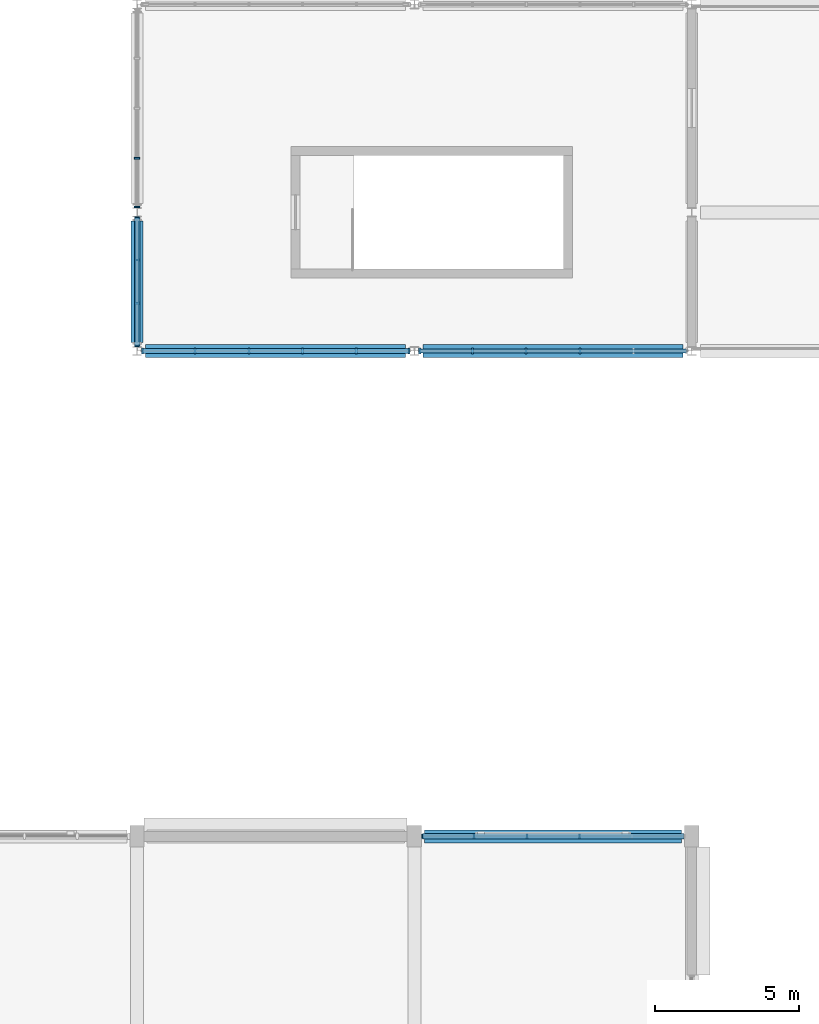
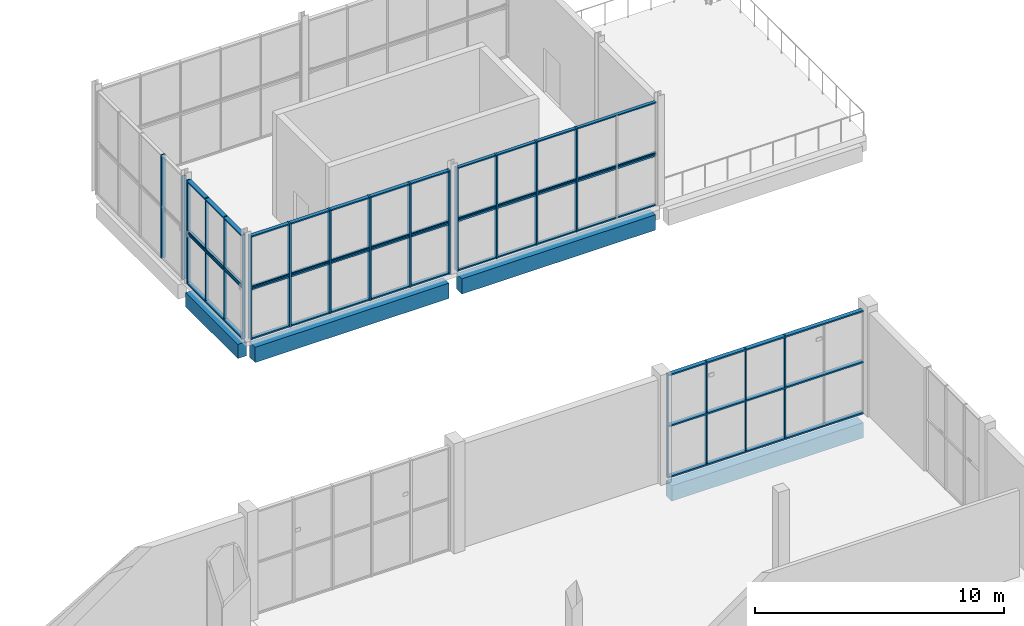
# One storey, part 12 of 83: 35 members, 4 beams, 5 elements without a shape of their own.
"""IFC4 building model written with IfcOpenShell, lengths in metres."""

from ifc_helpers import new_model, si_unit, direction, frame, origin, origin_2d, place, context, subcontext, project, spatial, rectangle, hollow_rectangle, extrude, material, material_profile, profile_set, type_object, element, aggregate, save


model = new_model("IFC4")

# Units and contexts
model_context = context("Model", 3, precision=1e-05, world=origin(), true_north=direction((0.0, 1.0)))
body_context = subcontext(model_context, "Body", "Model", "MODEL_VIEW")
ifc_project = project(units=[si_unit("LENGTHUNIT", "METRE"), si_unit("AREAUNIT", "SQUARE_METRE"), si_unit("VOLUMEUNIT", "CUBIC_METRE"), si_unit("PLANEANGLEUNIT", "RADIAN"), si_unit("MASSUNIT", "GRAM", prefix="KILO")], contexts=[model_context])

# Site, building, storey
site_placement = place(None, origin())
site = spatial("IfcSite", under=ifc_project, at=site_placement, CompositionType="ELEMENT")
building_placement = place(site_placement, origin())
building = spatial("IfcBuilding", under=site, at=building_placement, Name="Shalvenor Court Art Gallery", CompositionType="ELEMENT")
storey_placement = place(building_placement, frame((0.0, 0.0, 6.0)))
storey = spatial("IfcBuildingStorey", under=building, at=storey_placement, Name="L01", CompositionType="ELEMENT", Elevation=6.0)

# Beams
ifc_material_1 = material(Name="Concrete C40/50", Category="concrete")
ifc_material_profile_1 = material_profile(ifc_material_1, rectangle(XDim=0.449951171875, YDim=0.75, at=origin_2d()), Name="RC 450x750")
ifc_profile_set_1 = profile_set([ifc_material_profile_1], Name="Concrete C40/50")
beam_type_1 = type_object("IfcBeamType", Name="B-04", PredefinedType="BEAM", material=ifc_profile_set_1)
beam_1_placement = place(storey_placement, frame((57.949951171875, 28.800048828125, -0.695068359375), z_axis=(1.0, 0.0, 0.0), x_axis=(0.0, 1.0, 0.0)))
element("IfcBeam", 1, at=beam_1_placement, inside=storey, type_object=beam_type_1, Name="L01 Girder BM-L01-B-04-0524", PredefinedType="BEAM", context=body_context, shape_type="SweptSolid", body=[
    extrude(rectangle(XDim=0.449951171875, YDim=0.75, at=origin_2d()), origin(), (0.0, 0.0, 1.0), 8.900146484375),
])
for number, where, z_axis, x_axis, name in (
    (2, (48.300048828125, 45.60009765625, -0.695068359375), (1.0, 0.0, 0.0), (0.0, 1.0, 0.0), "L01 Girder BM-L01-B-04-0534"),
    (3, (57.89990234375, 45.60009765625, -0.695068359375), (1.0, 0.0, 0.0), (0.0, 1.0, 0.0), "L01 Girder BM-L01-B-04-0535"),
):
    element("IfcBeam", number, at=place(storey_placement, frame(where, z_axis=z_axis, x_axis=x_axis)), inside=storey, type_object=beam_type_1, Name=name, PredefinedType="BEAM", context=body_context, shape_type="SweptSolid", body=[
        extrude(rectangle(XDim=0.449951171875, YDim=0.75, at=origin_2d()), origin(), (0.0, 0.0, 1.0), 9.0),
    ])
ifc_material_2 = material(Name="Concrete C40/50", Category="concrete")
ifc_material_profile_2 = material_profile(ifc_material_2, rectangle(XDim=0.39990234375, YDim=0.699951171875, at=origin_2d()), Name="RC 400x700")
ifc_profile_set_2 = profile_set([ifc_material_profile_2], Name="Concrete C40/50")
beam_type_2 = type_object("IfcBeamType", Name="B-05", PredefinedType="BEAM", material=ifc_profile_set_2)
beam_2_placement = place(storey_placement, frame((48.0, 45.89990234375, -0.669921875), z_axis=(0.0, 1.0, 0.0), x_axis=(-1.0, 0.0, 0.0)))
element("IfcBeam", 4, at=beam_2_placement, inside=storey, type_object=beam_type_2, Name="L01 Girder BM-L01-B-05-0400", PredefinedType="BEAM", context=body_context, shape_type="SweptSolid", body=[
    extrude(rectangle(XDim=0.39990234375, YDim=0.699951171875, at=origin_2d()), origin(), (0.0, 0.0, 1.0), 4.2001953125),
])

# Curtain wall, members
ifc_material_3 = material(Name="Anodised aluminium and low-iron glass curtain wall", Category="aluminium")
curtain_wall_type_1 = type_object("IfcCurtainWallType", Name="CW-4x2-69-51-116", PredefinedType="USERDEFINED", material=ifc_material_3)
curtain_wall_1_placement = place(storey_placement, origin())
curtain_wall_1 = element("IfcCurtainWall", 5, at=curtain_wall_1_placement, inside=storey, type_object=curtain_wall_type_1, Name="L01 V6 Curtain Wall CW-L01-204", ObjectType="CURTAIN WALL", PredefinedType="USERDEFINED")
ifc_material_4 = material(Name="Anodised aluminium mullion", Category="aluminium")
ifc_material_profile_3 = material_profile(ifc_material_4, rectangle(XDim=0.06494140625, YDim=0.179931640625, at=origin_2d()), Name="CWM-01")
ifc_profile_set_3 = profile_set([ifc_material_profile_3], Name="Anodised aluminium mullion")
member_type_1 = type_object("IfcMemberType", Name="CWM-01", PredefinedType="MULLION", material=ifc_profile_set_3)
member_1_placement = place(storey_placement, frame((48.0, 50.58251953125, 0.0), z_axis=(0.0, 0.0, 1.0), x_axis=(0.0, 1.0, 0.0)))
member_1 = element("IfcMember", 6, at=member_1_placement, type_object=member_type_1, Name="CW-4x2-69-51-116 mullion 1", PredefinedType="MULLION", context=body_context, shape_type="SweptSolid", body=[
    extrude(rectangle(XDim=0.06494140625, YDim=0.179931640625, at=origin_2d()), origin(), (0.0, 0.0, 1.0), 5.080078125),
])
member_2_placement = place(storey_placement, frame((48.0, 52.27490234375, 0.0), z_axis=(0.0, 0.0, 1.0), x_axis=(0.0, 1.0, 0.0)))
member_2 = element("IfcMember", 7, at=member_2_placement, type_object=member_type_1, Name="CW-4x2-69-51-116 mullion 2", PredefinedType="MULLION", context=body_context, shape_type="SweptSolid", body=[
    extrude(rectangle(XDim=0.06494140625, YDim=0.179931640625, at=origin_2d()), origin(), (0.0, 0.0, 1.0), 5.080078125),
])
aggregate(curtain_wall_1, [member_1, member_2])

ifc_material_5 = material(Name="Anodised aluminium and low-iron glass curtain wall", Category="aluminium")
curtain_wall_type_2 = type_object("IfcCurtainWallType", Name="CW-5x2-93-51-216", PredefinedType="USERDEFINED", material=ifc_material_5)
curtain_wall_2_placement = place(storey_placement, origin())
curtain_wall_2 = element("IfcCurtainWall", 8, at=curtain_wall_2_placement, inside=storey, type_object=curtain_wall_type_2, Name="L01 V6 Curtain Wall CW-L01-201", ObjectType="CURTAIN WALL", PredefinedType="USERDEFINED")
ifc_material_6 = material(Name="Anodised aluminium mullion", Category="aluminium")
ifc_material_profile_4 = material_profile(ifc_material_6, rectangle(XDim=0.070068359375, YDim=0.199951171875, at=origin_2d()), Name="CWM-02")
ifc_profile_set_4 = profile_set([ifc_material_profile_4], Name="Anodised aluminium mullion")
member_type_2 = type_object("IfcMemberType", Name="CWM-02", PredefinedType="MULLION", material=ifc_profile_set_4)
member_3_placement = place(storey_placement, frame((63.330078125, 45.60009765625, 0.0), z_axis=(0.0, 0.0, 1.0), x_axis=(-1.0, 0.0, 0.0)))
member_3 = element("IfcMember", 9, at=member_3_placement, type_object=member_type_2, Name="CW-5x2-93-51-216 mullion 3", PredefinedType="MULLION", context=body_context, shape_type="SweptSolid", body=[
    extrude(rectangle(XDim=0.070068359375, YDim=0.199951171875, at=origin_2d()), origin(), (0.0, 0.0, 1.0), 5.080078125),
])
member_4_placement = place(storey_placement, frame((61.469970703125, 45.60009765625, 0.0), z_axis=(0.0, 0.0, 1.0), x_axis=(-1.0, 0.0, 0.0)))
member_4 = element("IfcMember", 10, at=member_4_placement, type_object=member_type_2, Name="CW-5x2-93-51-216 mullion 4", PredefinedType="MULLION", context=body_context, shape_type="SweptSolid", body=[
    extrude(rectangle(XDim=0.070068359375, YDim=0.199951171875, at=origin_2d()), origin(), (0.0, 0.0, 1.0), 5.080078125),
])
member_5_placement = place(storey_placement, frame((59.610107421875, 45.60009765625, 0.0), z_axis=(0.0, 0.0, 1.0), x_axis=(-1.0, 0.0, 0.0)))
member_5 = element("IfcMember", 11, at=member_5_placement, type_object=member_type_2, Name="CW-5x2-93-51-216 mullion 5", PredefinedType="MULLION", context=body_context, shape_type="SweptSolid", body=[
    extrude(rectangle(XDim=0.070068359375, YDim=0.199951171875, at=origin_2d()), origin(), (0.0, 0.0, 1.0), 5.080078125),
])
member_6_placement = place(storey_placement, frame((57.784912109375, 45.60009765625, 0.0), z_axis=(0.0, 0.0, 1.0), x_axis=(-1.0, 0.0, 0.0)))
member_6 = element("IfcMember", 12, at=member_6_placement, type_object=member_type_2, Name="CW-5x2-93-51-216 mullion 6", PredefinedType="MULLION", context=body_context, shape_type="SweptSolid", body=[
    extrude(rectangle(XDim=0.070068359375, YDim=0.199951171875, at=origin_2d()), origin(), (0.0, 0.0, 1.0), 5.080078125),
])

ifc_material_7 = material(Name="Anodised aluminium and low-iron glass curtain wall", Category="aluminium")
curtain_wall_type_3 = type_object("IfcCurtainWallType", Name="CW-5x2-93-51-426", PredefinedType="USERDEFINED", material=ifc_material_7)
curtain_wall_3_placement = place(storey_placement, origin())
curtain_wall_3 = element("IfcCurtainWall", 13, at=curtain_wall_3_placement, inside=storey, type_object=curtain_wall_type_3, Name="L01 V6 Curtain Wall CW-L01-202", ObjectType="CURTAIN WALL", PredefinedType="USERDEFINED")
ifc_material_8 = material(Name="Anodised aluminium mullion", Category="aluminium")
ifc_material_profile_5 = material_profile(ifc_material_8, rectangle(XDim=0.074951171875, YDim=0.219970703125, at=origin_2d()), Name="CWM-04")
ifc_profile_set_5 = profile_set([ifc_material_profile_5], Name="Anodised aluminium mullion")
member_type_3 = type_object("IfcMemberType", Name="CWM-04", PredefinedType="MULLION", material=ifc_profile_set_5)
member_7_placement = place(storey_placement, frame((57.41259765625, 45.60009765625, 0.0), z_axis=(0.0, 0.0, 1.0), x_axis=(-1.0, 0.0, 0.0)))
member_7 = element("IfcMember", 14, at=member_7_placement, type_object=member_type_3, Name="CW-5x2-93-51-426 mullion 1", PredefinedType="MULLION", context=body_context, shape_type="SweptSolid", body=[
    extrude(rectangle(XDim=0.074951171875, YDim=0.219970703125, at=origin_2d()), origin(), (0.0, 0.0, 1.0), 5.080078125),
])
member_8_placement = place(storey_placement, frame((55.590087890625, 45.60009765625, 0.0), z_axis=(0.0, 0.0, 1.0), x_axis=(-1.0, 0.0, 0.0)))
member_8 = element("IfcMember", 15, at=member_8_placement, type_object=member_type_3, Name="CW-5x2-93-51-426 mullion 2", PredefinedType="MULLION", context=body_context, shape_type="SweptSolid", body=[
    extrude(rectangle(XDim=0.074951171875, YDim=0.219970703125, at=origin_2d()), origin(), (0.0, 0.0, 1.0), 5.080078125),
])
member_9_placement = place(storey_placement, frame((53.72998046875, 45.60009765625, 0.0), z_axis=(0.0, 0.0, 1.0), x_axis=(-1.0, 0.0, 0.0)))
member_9 = element("IfcMember", 16, at=member_9_placement, type_object=member_type_3, Name="CW-5x2-93-51-426 mullion 3", PredefinedType="MULLION", context=body_context, shape_type="SweptSolid", body=[
    extrude(rectangle(XDim=0.074951171875, YDim=0.219970703125, at=origin_2d()), origin(), (0.0, 0.0, 1.0), 5.080078125),
])
member_10_placement = place(storey_placement, frame((51.8701171875, 45.60009765625, 0.0), z_axis=(0.0, 0.0, 1.0), x_axis=(-1.0, 0.0, 0.0)))
member_10 = element("IfcMember", 17, at=member_10_placement, type_object=member_type_3, Name="CW-5x2-93-51-426 mullion 4", PredefinedType="MULLION", context=body_context, shape_type="SweptSolid", body=[
    extrude(rectangle(XDim=0.074951171875, YDim=0.219970703125, at=origin_2d()), origin(), (0.0, 0.0, 1.0), 5.080078125),
])
member_11_placement = place(storey_placement, frame((50.010009765625, 45.60009765625, 0.0), z_axis=(0.0, 0.0, 1.0), x_axis=(-1.0, 0.0, 0.0)))
member_11 = element("IfcMember", 18, at=member_11_placement, type_object=member_type_3, Name="CW-5x2-93-51-426 mullion 5", PredefinedType="MULLION", context=body_context, shape_type="SweptSolid", body=[
    extrude(rectangle(XDim=0.074951171875, YDim=0.219970703125, at=origin_2d()), origin(), (0.0, 0.0, 1.0), 5.080078125),
])
member_12_placement = place(storey_placement, frame((48.1875, 45.60009765625, 0.0), z_axis=(0.0, 0.0, 1.0), x_axis=(-1.0, 0.0, 0.0)))
member_12 = element("IfcMember", 19, at=member_12_placement, type_object=member_type_3, Name="CW-5x2-93-51-426 mullion 6", PredefinedType="MULLION", context=body_context, shape_type="SweptSolid", body=[
    extrude(rectangle(XDim=0.074951171875, YDim=0.219970703125, at=origin_2d()), origin(), (0.0, 0.0, 1.0), 5.080078125),
])

ifc_material_9 = material(Name="Anodised aluminium and low-iron glass curtain wall", Category="aluminium")
curtain_wall_type_4 = type_object("IfcCurtainWallType", Name="CW-5x2-91-51-641", PredefinedType="USERDEFINED", material=ifc_material_9)
curtain_wall_4_placement = place(storey_placement, origin())
curtain_wall_4 = element("IfcCurtainWall", 20, at=curtain_wall_4_placement, inside=storey, type_object=curtain_wall_type_4, Name="L01 V4 Curtain Wall CW-L01-131", ObjectType="CURTAIN WALL", PredefinedType="USERDEFINED")
ifc_material_10 = material(Name="Anodised aluminium mullion", Category="aluminium")
ifc_material_profile_6 = material_profile(ifc_material_10, rectangle(XDim=0.054931640625, YDim=0.139892578125, at=origin_2d()), Name="CWM-06")
ifc_profile_set_6 = profile_set([ifc_material_profile_6], Name="Anodised aluminium mullion")
member_type_4 = type_object("IfcMemberType", Name="CWM-06", PredefinedType="MULLION", material=ifc_profile_set_6)
member_13_placement = place(storey_placement, frame((57.87744140625, 28.800048828125, 0.0), z_axis=(0.0, 0.0, 1.0), x_axis=(1.0, 0.0, 0.0)))
member_13 = element("IfcMember", 21, at=member_13_placement, type_object=member_type_4, Name="CW-5x2-91-51-641 mullion 1", PredefinedType="MULLION", context=body_context, shape_type="SweptSolid", body=[
    extrude(rectangle(XDim=0.054931640625, YDim=0.139892578125, at=origin_2d()), origin(), (0.0, 0.0, 1.0), 5.080078125),
])
member_14_placement = place(storey_placement, frame((59.669921875, 28.800048828125, 0.0), z_axis=(0.0, 0.0, 1.0), x_axis=(1.0, 0.0, 0.0)))
member_14 = element("IfcMember", 22, at=member_14_placement, type_object=member_type_4, Name="CW-5x2-91-51-641 mullion 2", PredefinedType="MULLION", context=body_context, shape_type="SweptSolid", body=[
    extrude(rectangle(XDim=0.054931640625, YDim=0.139892578125, at=origin_2d()), origin(), (0.0, 0.0, 1.0), 5.080078125),
])
member_15_placement = place(storey_placement, frame((61.489990234375, 28.800048828125, 0.0), z_axis=(0.0, 0.0, 1.0), x_axis=(1.0, 0.0, 0.0)))
member_15 = element("IfcMember", 23, at=member_15_placement, type_object=member_type_4, Name="CW-5x2-91-51-641 mullion 3", PredefinedType="MULLION", context=body_context, shape_type="SweptSolid", body=[
    extrude(rectangle(XDim=0.054931640625, YDim=0.139892578125, at=origin_2d()), origin(), (0.0, 0.0, 1.0), 5.080078125),
])
member_16_placement = place(storey_placement, frame((63.31005859375, 28.800048828125, 0.0), z_axis=(0.0, 0.0, 1.0), x_axis=(1.0, 0.0, 0.0)))
member_16 = element("IfcMember", 24, at=member_16_placement, type_object=member_type_4, Name="CW-5x2-91-51-641 mullion 4", PredefinedType="MULLION", context=body_context, shape_type="SweptSolid", body=[
    extrude(rectangle(XDim=0.054931640625, YDim=0.139892578125, at=origin_2d()), origin(), (0.0, 0.0, 1.0), 5.080078125),
])

ifc_material_11 = material(Name="Anodised aluminium and low-iron glass curtain wall", Category="aluminium")
curtain_wall_type_5 = type_object("IfcCurtainWallType", Name="CW-3x2-45-51-646", PredefinedType="USERDEFINED", material=ifc_material_11)
curtain_wall_5_placement = place(storey_placement, origin())
curtain_wall_5 = element("IfcCurtainWall", 25, at=curtain_wall_5_placement, inside=storey, type_object=curtain_wall_type_5, Name="L01 V6 Curtain Wall CW-L01-203", ObjectType="CURTAIN WALL", PredefinedType="USERDEFINED")
member_17_placement = place(storey_placement, frame((48.0, 45.777587890625, 0.0), z_axis=(0.0, 0.0, 1.0), x_axis=(0.0, 1.0, 0.0)))
member_17 = element("IfcMember", 26, at=member_17_placement, type_object=member_type_4, Name="CW-3x2-45-51-646 mullion 1", PredefinedType="MULLION", context=body_context, shape_type="SweptSolid", body=[
    extrude(rectangle(XDim=0.054931640625, YDim=0.139892578125, at=origin_2d()), origin(), (0.0, 0.0, 1.0), 5.080078125),
])
member_18_placement = place(storey_placement, frame((48.0, 47.25, 0.0), z_axis=(0.0, 0.0, 1.0), x_axis=(0.0, 1.0, 0.0)))
member_18 = element("IfcMember", 27, at=member_18_placement, type_object=member_type_4, Name="CW-3x2-45-51-646 mullion 2", PredefinedType="MULLION", context=body_context, shape_type="SweptSolid", body=[
    extrude(rectangle(XDim=0.054931640625, YDim=0.139892578125, at=origin_2d()), origin(), (0.0, 0.0, 1.0), 5.080078125),
])
member_19_placement = place(storey_placement, frame((48.0, 48.75, 0.0), z_axis=(0.0, 0.0, 1.0), x_axis=(0.0, 1.0, 0.0)))
member_19 = element("IfcMember", 28, at=member_19_placement, type_object=member_type_4, Name="CW-3x2-45-51-646 mullion 3", PredefinedType="MULLION", context=body_context, shape_type="SweptSolid", body=[
    extrude(rectangle(XDim=0.054931640625, YDim=0.139892578125, at=origin_2d()), origin(), (0.0, 0.0, 1.0), 5.080078125),
])
member_20_placement = place(storey_placement, frame((48.0, 50.222412109375, 0.0), z_axis=(0.0, 0.0, 1.0), x_axis=(0.0, 1.0, 0.0)))
member_20 = element("IfcMember", 29, at=member_20_placement, type_object=member_type_4, Name="CW-3x2-45-51-646 mullion 4", PredefinedType="MULLION", context=body_context, shape_type="SweptSolid", body=[
    extrude(rectangle(XDim=0.054931640625, YDim=0.139892578125, at=origin_2d()), origin(), (0.0, 0.0, 1.0), 5.080078125),
])

# Member
ifc_material_12 = material(Name="Anodised aluminium transom", Category="aluminium")
ifc_material_profile_7 = material_profile(ifc_material_12, rectangle(XDim=0.14990234375, YDim=0.06005859375, at=origin_2d()), Name="CWT-01")
ifc_profile_set_7 = profile_set([ifc_material_profile_7], Name="Anodised aluminium transom")
member_type_5 = type_object("IfcMemberType", Name="CWT-01", PredefinedType="USERDEFINED", material=ifc_profile_set_7)
member_21_placement = place(storey_placement, frame((67.014892578125, 45.60009765625, 0.030029296875), z_axis=(-1.0, 0.0, 0.0), x_axis=(0.0, -1.0, 0.0)))
member_21 = element("IfcMember", 30, at=member_21_placement, type_object=member_type_5, Name="CW-5x2-93-51-216 transom 1", ObjectType="TRANSOM", PredefinedType="USERDEFINED", context=body_context, shape_type="SweptSolid", body=[
    extrude(rectangle(XDim=0.14990234375, YDim=0.06005859375, at=origin_2d()), origin(), (0.0, 0.0, 1.0), 9.22998046875),
])

member_22_placement = place(storey_placement, frame((67.014892578125, 45.60009765625, 2.5400390625), z_axis=(-1.0, 0.0, 0.0), x_axis=(0.0, -1.0, 0.0)))
member_22 = element("IfcMember", 31, at=member_22_placement, type_object=member_type_5, Name="CW-5x2-93-51-216 transom 2", ObjectType="TRANSOM", PredefinedType="USERDEFINED", context=body_context, shape_type="SweptSolid", body=[
    extrude(rectangle(XDim=0.14990234375, YDim=0.06005859375, at=origin_2d()), origin(), (0.0, 0.0, 1.0), 9.22998046875),
])

member_23_placement = place(storey_placement, frame((67.014892578125, 45.60009765625, 5.050048828125), z_axis=(-1.0, 0.0, 0.0), x_axis=(0.0, -1.0, 0.0)))
member_23 = element("IfcMember", 32, at=member_23_placement, type_object=member_type_5, Name="CW-5x2-93-51-216 transom 3", ObjectType="TRANSOM", PredefinedType="USERDEFINED", context=body_context, shape_type="SweptSolid", body=[
    extrude(rectangle(XDim=0.14990234375, YDim=0.06005859375, at=origin_2d()), origin(), (0.0, 0.0, 1.0), 9.22998046875),
])

aggregate(curtain_wall_2, [member_3, member_4, member_5, member_6, member_21, member_22, member_23])

ifc_material_13 = material(Name="Anodised aluminium transom", Category="aluminium")
ifc_material_profile_8 = material_profile(ifc_material_13, rectangle(XDim=0.169921875, YDim=0.06494140625, at=origin_2d()), Name="CWT-02")
ifc_profile_set_8 = profile_set([ifc_material_profile_8], Name="Anodised aluminium transom")
member_type_6 = type_object("IfcMemberType", Name="CWT-02", PredefinedType="USERDEFINED", material=ifc_profile_set_8)
member_24_placement = place(storey_placement, frame((57.41259765625, 45.60009765625, 0.032470703125), z_axis=(-1.0, 0.0, 0.0), x_axis=(0.0, -1.0, 0.0)))
member_24 = element("IfcMember", 33, at=member_24_placement, type_object=member_type_6, Name="CW-5x2-93-51-426 transom 1", ObjectType="TRANSOM", PredefinedType="USERDEFINED", context=body_context, shape_type="SweptSolid", body=[
    extrude(rectangle(XDim=0.169921875, YDim=0.06494140625, at=origin_2d()), origin(), (0.0, 0.0, 1.0), 9.22509765625),
])

member_25_placement = place(storey_placement, frame((57.41259765625, 45.60009765625, 2.5400390625), z_axis=(-1.0, 0.0, 0.0), x_axis=(0.0, -1.0, 0.0)))
member_25 = element("IfcMember", 34, at=member_25_placement, type_object=member_type_6, Name="CW-5x2-93-51-426 transom 2", ObjectType="TRANSOM", PredefinedType="USERDEFINED", context=body_context, shape_type="SweptSolid", body=[
    extrude(rectangle(XDim=0.169921875, YDim=0.06494140625, at=origin_2d()), origin(), (0.0, 0.0, 1.0), 9.22509765625),
])

member_26_placement = place(storey_placement, frame((57.41259765625, 45.60009765625, 5.047607421875), z_axis=(-1.0, 0.0, 0.0), x_axis=(0.0, -1.0, 0.0)))
member_26 = element("IfcMember", 35, at=member_26_placement, type_object=member_type_6, Name="CW-5x2-93-51-426 transom 3", ObjectType="TRANSOM", PredefinedType="USERDEFINED", context=body_context, shape_type="SweptSolid", body=[
    extrude(rectangle(XDim=0.169921875, YDim=0.06494140625, at=origin_2d()), origin(), (0.0, 0.0, 1.0), 9.22509765625),
])

aggregate(curtain_wall_3, [member_7, member_8, member_9, member_10, member_11, member_12, member_24, member_25, member_26])

ifc_material_14 = material(Name="Anodised aluminium transom", Category="aluminium")
ifc_material_profile_9 = material_profile(ifc_material_14, rectangle(XDim=0.18994140625, YDim=0.070068359375, at=origin_2d()), Name="CWT-04")
ifc_profile_set_9 = profile_set([ifc_material_profile_9], Name="Anodised aluminium transom")
member_type_7 = type_object("IfcMemberType", Name="CWT-04", PredefinedType="USERDEFINED", material=ifc_profile_set_9)
member_27_placement = place(storey_placement, frame((57.87744140625, 28.800048828125, 0.034912109375), z_axis=(1.0, 0.0, 0.0), x_axis=(0.0, 1.0, 0.0)))
member_27 = element("IfcMember", 36, at=member_27_placement, type_object=member_type_7, Name="CW-5x2-91-51-641 transom 1", ObjectType="TRANSOM", PredefinedType="USERDEFINED", context=body_context, shape_type="SweptSolid", body=[
    extrude(rectangle(XDim=0.18994140625, YDim=0.070068359375, at=origin_2d()), origin(), (0.0, 0.0, 1.0), 9.045166015625),
])

member_28_placement = place(storey_placement, frame((57.87744140625, 28.800048828125, 2.5400390625), z_axis=(1.0, 0.0, 0.0), x_axis=(0.0, 1.0, 0.0)))
member_28 = element("IfcMember", 37, at=member_28_placement, type_object=member_type_7, Name="CW-5x2-91-51-641 transom 2", ObjectType="TRANSOM", PredefinedType="USERDEFINED", context=body_context, shape_type="SweptSolid", body=[
    extrude(rectangle(XDim=0.18994140625, YDim=0.070068359375, at=origin_2d()), origin(), (0.0, 0.0, 1.0), 9.045166015625),
])

member_29_placement = place(storey_placement, frame((57.87744140625, 28.800048828125, 5.044921875), z_axis=(1.0, 0.0, 0.0), x_axis=(0.0, 1.0, 0.0)))
member_29 = element("IfcMember", 38, at=member_29_placement, type_object=member_type_7, Name="CW-5x2-91-51-641 transom 3", ObjectType="TRANSOM", PredefinedType="USERDEFINED", context=body_context, shape_type="SweptSolid", body=[
    extrude(rectangle(XDim=0.18994140625, YDim=0.070068359375, at=origin_2d()), origin(), (0.0, 0.0, 1.0), 9.045166015625),
])

aggregate(curtain_wall_4, [member_13, member_14, member_15, member_16, member_27, member_28, member_29])

member_30_placement = place(storey_placement, frame((48.0, 45.777587890625, 0.034912109375), z_axis=(0.0, 1.0, 0.0), x_axis=(-1.0, 0.0, 0.0)))
member_30 = element("IfcMember", 39, at=member_30_placement, type_object=member_type_7, Name="CW-3x2-45-51-646 transom 1", ObjectType="TRANSOM", PredefinedType="USERDEFINED", context=body_context, shape_type="SweptSolid", body=[
    extrude(rectangle(XDim=0.18994140625, YDim=0.070068359375, at=origin_2d()), origin(), (0.0, 0.0, 1.0), 4.44482421875),
])

member_31_placement = place(storey_placement, frame((48.0, 45.777587890625, 2.5400390625), z_axis=(0.0, 1.0, 0.0), x_axis=(-1.0, 0.0, 0.0)))
member_31 = element("IfcMember", 40, at=member_31_placement, type_object=member_type_7, Name="CW-3x2-45-51-646 transom 2", ObjectType="TRANSOM", PredefinedType="USERDEFINED", context=body_context, shape_type="SweptSolid", body=[
    extrude(rectangle(XDim=0.18994140625, YDim=0.070068359375, at=origin_2d()), origin(), (0.0, 0.0, 1.0), 4.44482421875),
])

member_32_placement = place(storey_placement, frame((48.0, 45.777587890625, 5.044921875), z_axis=(0.0, 1.0, 0.0), x_axis=(-1.0, 0.0, 0.0)))
member_32 = element("IfcMember", 41, at=member_32_placement, type_object=member_type_7, Name="CW-3x2-45-51-646 transom 3", ObjectType="TRANSOM", PredefinedType="USERDEFINED", context=body_context, shape_type="SweptSolid", body=[
    extrude(rectangle(XDim=0.18994140625, YDim=0.070068359375, at=origin_2d()), origin(), (0.0, 0.0, 1.0), 4.44482421875),
])

aggregate(curtain_wall_5, [member_17, member_18, member_19, member_20, member_30, member_31, member_32])

# Members
ifc_material_15 = material(Name="Steel S355", Category="steel")
ifc_material_profile_10 = material_profile(ifc_material_15, hollow_rectangle(XDim=0.10009765625, YDim=0.199951171875, WallThickness=0.008056640625, at=origin_2d()), Name="RHS 200x100x8.0")
ifc_profile_set_10 = profile_set([ifc_material_profile_10], Name="Steel S355")
member_type_8 = type_object("IfcMemberType", Name="FR-01", PredefinedType="MEMBER", material=ifc_profile_set_10)
for number, where, z_axis, x_axis, name in (
    (42, (67.050048828125, 45.60009765625, 2.5), (-1.0, 0.0, 0.0), (0.0, -1.0, 0.0), "L01 Cloister Canopy Rail 201"),
    (43, (57.449951171875, 45.60009765625, 2.5), (-1.0, 0.0, 0.0), (0.0, -1.0, 0.0), "L01 Cloister Canopy Rail 202"),
):
    element("IfcMember", number, at=place(storey_placement, frame(where, z_axis=z_axis, x_axis=x_axis)), inside=storey, type_object=member_type_8, Name=name, PredefinedType="MEMBER", context=body_context, shape_type="SweptSolid", body=[
        extrude(hollow_rectangle(XDim=0.10009765625, YDim=0.199951171875, WallThickness=0.008056640625, at=origin_2d()), origin(), (0.0, 0.0, 1.0), 9.300048828125),
    ])
member_33_placement = place(storey_placement, frame((48.0, 45.75, 2.5), z_axis=(0.0, 1.0, 0.0), x_axis=(-1.0, 0.0, 0.0)))
element("IfcMember", 44, at=member_33_placement, inside=storey, type_object=member_type_8, Name="L01 Cloister Canopy Rail 203", PredefinedType="MEMBER", context=body_context, shape_type="SweptSolid", body=[
    extrude(hollow_rectangle(XDim=0.10009765625, YDim=0.199951171875, WallThickness=0.008056640625, at=origin_2d()), origin(), (0.0, 0.0, 1.0), 4.5),
])

save(model, "model.ifc")
